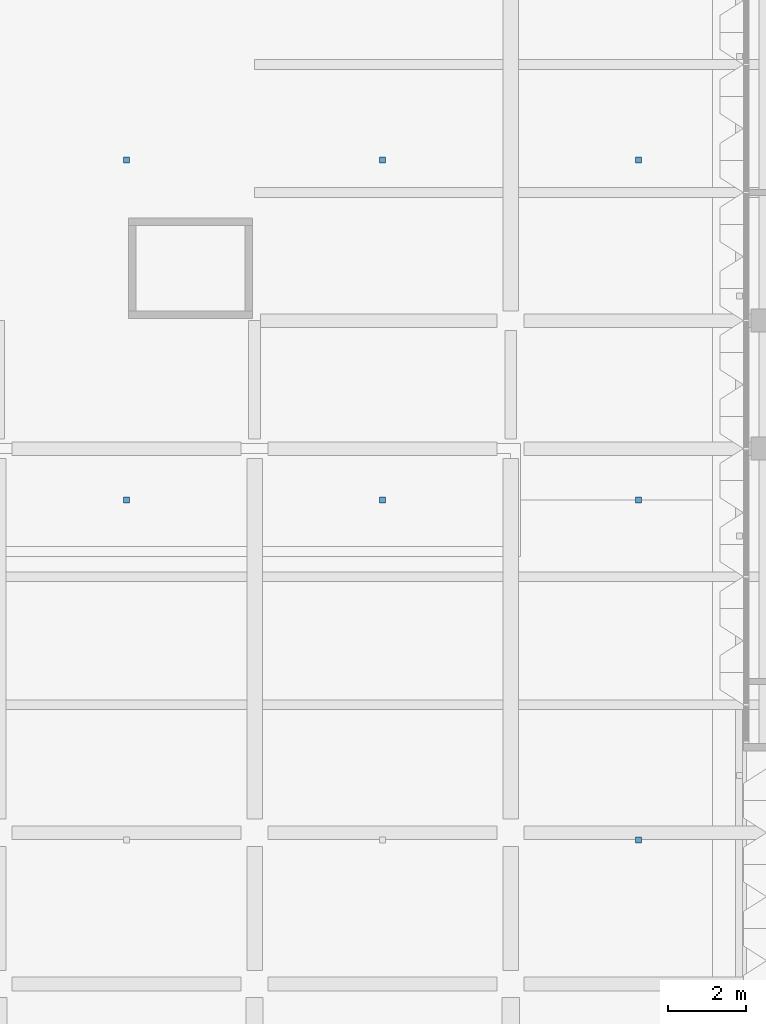
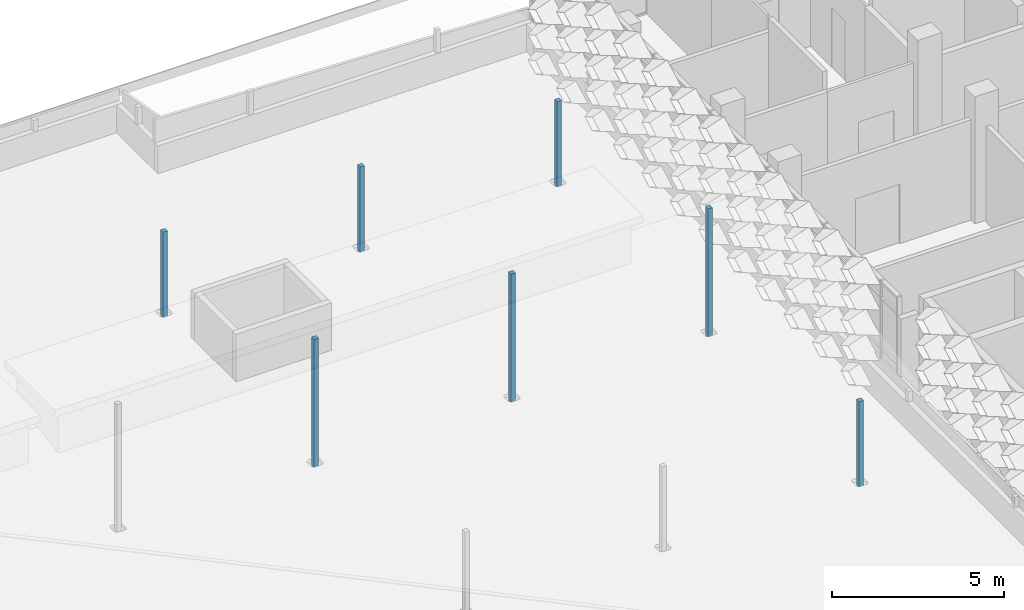
# One storey, part 16 of 39: 7 discrete accessories.
"""IFC4 building model written with IfcOpenShell, lengths in metres."""

from ifc_helpers import new_model, si_unit, direction, frame, origin, origin_2d, place, context, subcontext, project, spatial, rectangle, extrude, material, type_object, element, save


model = new_model("IFC4")

# Units and contexts
model_context = context("Model", 3, precision=1e-05, world=origin(), true_north=direction((0.0, 1.0)))
body_context = subcontext(model_context, "Body", "Model", "MODEL_VIEW")
ifc_project = project(units=[si_unit("LENGTHUNIT", "METRE"), si_unit("AREAUNIT", "SQUARE_METRE"), si_unit("VOLUMEUNIT", "CUBIC_METRE"), si_unit("PLANEANGLEUNIT", "RADIAN"), si_unit("MASSUNIT", "GRAM", prefix="KILO")], contexts=[model_context])

# Site, building, storey
site_placement = place(None, origin())
site = spatial("IfcSite", under=ifc_project, at=site_placement, CompositionType="ELEMENT")
building_placement = place(site_placement, origin())
building = spatial("IfcBuilding", under=site, at=building_placement, Name="Lantern Court Research Institute", CompositionType="ELEMENT")
storey_placement = place(building_placement, frame((0.0, 0.0, 27.89990234375)))
storey = spatial("IfcBuildingStorey", under=building, at=storey_placement, Name="L06", CompositionType="ELEMENT", Elevation=27.89990234375)

# Discrete accessories
ifc_material = material(Name="Structural steel S355", Category="steel")
discrete_accessory_type = type_object("IfcDiscreteAccessoryType", Name="Parasol roof post 150 x 150 steel", PredefinedType="BRACKET", material=ifc_material)
for number, where, z_axis, x_axis, name in (
    (1, (36.300048828125, 8.574951171875, 0.0), (0.0, 0.0, 1.0), (1.0, 0.0, 0.0), "Parasol roof post V4 6"),
    (2, (42.89990234375, 8.574951171875, 0.0), (0.0, 0.0, 1.0), (1.0, 0.0, 0.0), "Parasol roof post V4 7"),
    (3, (49.5, 8.574951171875, 0.0), (0.0, 0.0, 1.0), (1.0, 0.0, 0.0), "Parasol roof post V4 8"),
):
    element("IfcDiscreteAccessory", number, at=place(storey_placement, frame(where, z_axis=z_axis, x_axis=x_axis)), inside=storey, type_object=discrete_accessory_type, Name=name, PredefinedType="BRACKET", context=body_context, shape_type="SweptSolid", body=[
        extrude(rectangle(XDim=0.14990234375, YDim=0.14990234375, at=origin_2d()), origin(), (0.0, 0.0, 1.0), 4.545654296875),
    ])
for number, where, z_axis, x_axis, name in (
    (4, (49.5, -0.1875, 0.0), (0.0, 0.0, 1.0), (1.0, 0.0, 0.0), "Parasol roof post V4 16"),
    (5, (36.300048828125, 17.33740234375, 0.0), (0.0, 0.0, 1.0), (1.0, 0.0, 0.0), "Parasol roof post V4 21"),
    (6, (42.89990234375, 17.33740234375, 0.0), (0.0, 0.0, 1.0), (1.0, 0.0, 0.0), "Parasol roof post V4 22"),
    (7, (49.5, 17.33740234375, 0.0), (0.0, 0.0, 1.0), (1.0, 0.0, 0.0), "Parasol roof post V4 23"),
):
    element("IfcDiscreteAccessory", number, at=place(storey_placement, frame(where, z_axis=z_axis, x_axis=x_axis)), inside=storey, type_object=discrete_accessory_type, Name=name, PredefinedType="BRACKET", context=body_context, shape_type="SweptSolid", body=[
        extrude(rectangle(XDim=0.14990234375, YDim=0.14990234375, at=origin_2d()), origin(), (0.0, 0.0, 1.0), 3.027099609375),
    ])

save(model, "model.ifc")
